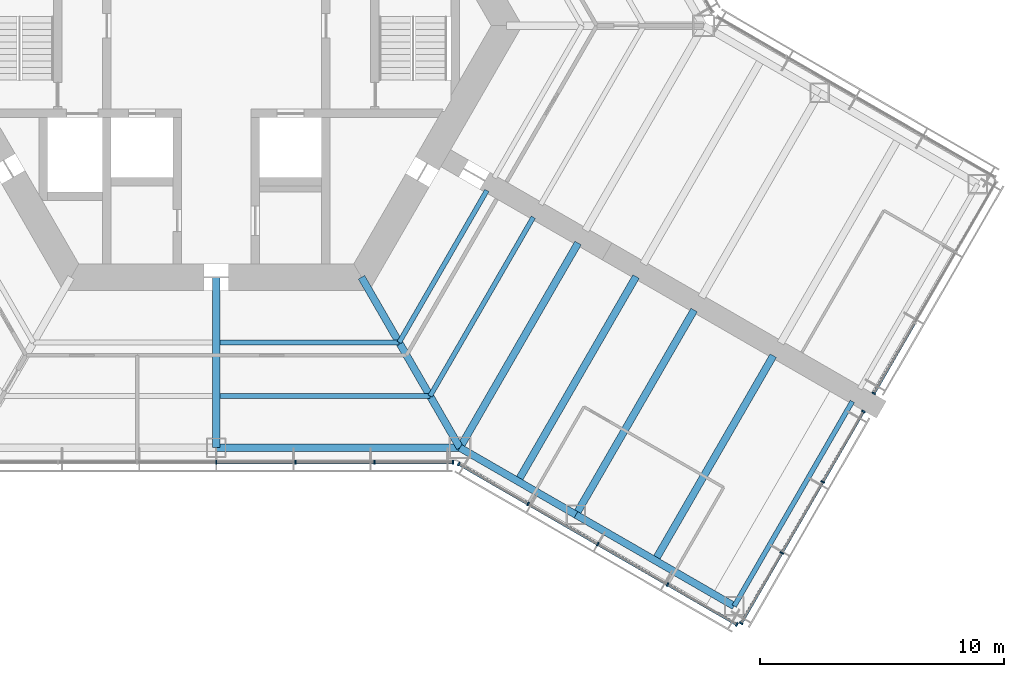
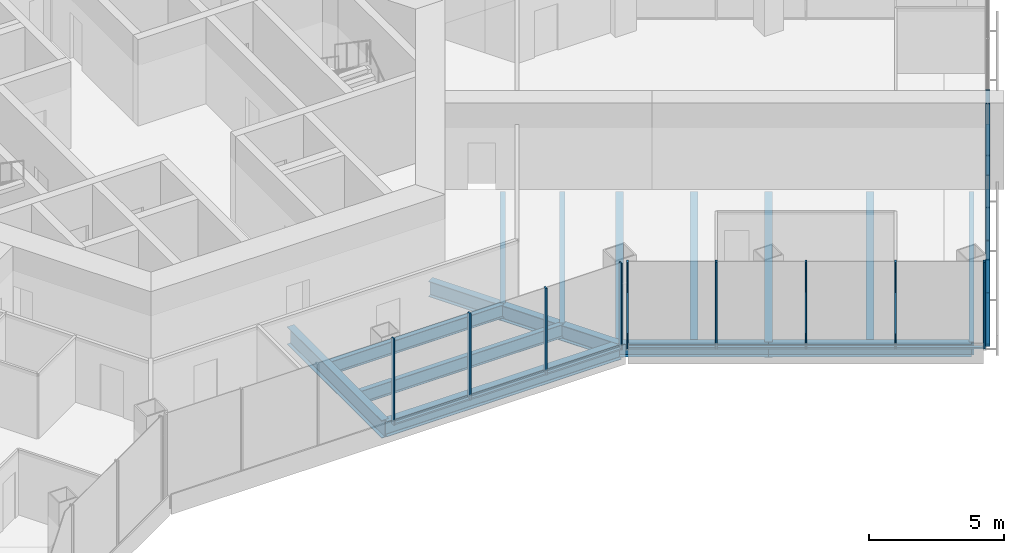
# One storey, part 5 of 18: 25 members, 14 beams, 4 elements without a shape of their own.
"""IFC4 building model written with IfcOpenShell, lengths in metres."""

from ifc_helpers import new_model, si_unit, direction, frame, origin, origin_2d, place, context, subcontext, project, spatial, rectangle, i_section, extrude, material, material_profile, profile_set, type_object, element, aggregate, save


model = new_model("IFC4")

# Units and contexts
model_context = context("Model", 3, precision=1e-05, world=origin(), true_north=direction((0.0, 1.0)))
body_context = subcontext(model_context, "Body", "Model", "MODEL_VIEW")
ifc_project = project(units=[si_unit("LENGTHUNIT", "METRE"), si_unit("AREAUNIT", "SQUARE_METRE"), si_unit("VOLUMEUNIT", "CUBIC_METRE"), si_unit("PLANEANGLEUNIT", "RADIAN"), si_unit("MASSUNIT", "GRAM", prefix="KILO")], contexts=[model_context])

# Site, building, storey
site_placement = place(None, origin())
site = spatial("IfcSite", under=ifc_project, at=site_placement, CompositionType="ELEMENT")
building_placement = place(site_placement, origin())
building = spatial("IfcBuilding", under=site, at=building_placement, Name="Kasaneha Research Tower", CompositionType="ELEMENT")
storey_placement = place(building_placement, frame((0.0, 0.0, 76.800048828125)))
storey = spatial("IfcBuildingStorey", under=building, at=storey_placement, Name="L19", CompositionType="ELEMENT", Elevation=76.800048828125)

# Beams
ifc_material_1 = material(Name="Steel SN490B", Category="steel")
ifc_material_profile_1 = material_profile(ifc_material_1, i_section(OverallWidth=0.199951171875, OverallDepth=0.60009765625, WebThickness=0.010986328125, FlangeThickness=0.01708984375, FilletRadius=0.012939453125, at=origin_2d()), Name="H-600x200x11x17")
ifc_profile_set_1 = profile_set([ifc_material_profile_1], Name="Steel SN490B")
beam_type_1 = type_object("IfcBeamType", Name="B1-3 secondary beam H-600x200x11x17", PredefinedType="JOIST", material=ifc_profile_set_1)
beam_1_placement = place(storey_placement, frame((7.505615234375, -13.0, -0.449951171875), z_axis=(-1.0, 0.0, 0.0), x_axis=(0.0, -1.0, 0.0)))
element("IfcBeam", 1, at=beam_1_placement, inside=storey, type_object=beam_type_1, Name="Secondary beam RS270R1 L19", PredefinedType="JOIST", context=body_context, shape_type="SweptSolid", body=[
    extrude(i_section(OverallWidth=0.199951171875, OverallDepth=0.60009765625, WebThickness=0.010986328125, FlangeThickness=0.01708984375, FilletRadius=0.012939453125, at=origin_2d()), origin(), (0.0, 0.0, 1.0), 7.355712890625),
])
beam_2_placement = place(storey_placement, frame((8.775634765625, -15.199951171875, -0.449951171875), z_axis=(-1.0, 0.0, 0.0), x_axis=(0.0, -1.0, 0.0)))
element("IfcBeam", 2, at=beam_2_placement, inside=storey, type_object=beam_type_1, Name="Secondary beam RS270R2 L19", PredefinedType="JOIST", context=body_context, shape_type="SweptSolid", body=[
    extrude(i_section(OverallWidth=0.199951171875, OverallDepth=0.60009765625, WebThickness=0.010986328125, FlangeThickness=0.01708984375, FilletRadius=0.012939453125, at=origin_2d()), origin(), (0.0, 0.0, 1.0), 8.625732421875),
])
beam_3_placement = place(storey_placement, frame((7.505615234375, -13.0, -0.449951171875), z_axis=(0.499998147991, 0.86602647304, 0.0), x_axis=(-0.86602647304, 0.499998147991, 0.0)))
element("IfcBeam", 3, at=beam_3_placement, inside=storey, type_object=beam_type_1, Name="Secondary beam RS330L1 L19", PredefinedType="JOIST", context=body_context, shape_type="SweptSolid", body=[
    extrude(i_section(OverallWidth=0.199951171875, OverallDepth=0.60009765625, WebThickness=0.010986328125, FlangeThickness=0.01708984375, FilletRadius=0.012939453125, at=origin_2d()), origin(), (0.0, 0.0, 1.0), 7.20556640625),
])
beam_4_placement = place(storey_placement, frame((8.775634765625, -15.199951171875, -0.449951171875), z_axis=(0.500020829043, 0.866013377797, 0.0), x_axis=(-0.866013377797, 0.500020829043, 0.0)))
element("IfcBeam", 4, at=beam_4_placement, inside=storey, type_object=beam_type_1, Name="Secondary beam RS330L2 L19", PredefinedType="JOIST", context=body_context, shape_type="SweptSolid", body=[
    extrude(i_section(OverallWidth=0.199951171875, OverallDepth=0.60009765625, WebThickness=0.010986328125, FlangeThickness=0.01708984375, FilletRadius=0.012939453125, at=origin_2d()), origin(), (0.0, 0.0, 1.0), 8.475830078125),
])
ifc_material_2 = material(Name="Steel SN490B", Category="steel")
ifc_material_profile_2 = material_profile(ifc_material_2, i_section(OverallWidth=0.300048828125, OverallDepth=0.58203125, WebThickness=0.011962890625, FlangeThickness=0.01708984375, FilletRadius=0.012939453125, at=origin_2d()), Name="H-582x300x12x17")
ifc_profile_set_2 = profile_set([ifc_material_profile_2], Name="Steel SN490B")
beam_type_2 = type_object("IfcBeamType", Name="B2-3 secondary beam H-582x300x12x17", PredefinedType="JOIST", material=ifc_profile_set_2)
for number, where, z_axis, x_axis, name in (
    (5, (12.381591796875, -18.695556640625, -0.441162109375), (0.500010041276, 0.866019606374, 0.0), (-0.866019606374, 0.500010041276, 0.0), "Secondary beam WBCP1 L19"),
    (6, (18.0107421875, -21.945556640625, -0.441162109375), (0.500010041276, 0.866019606374, 0.0), (-0.866019606374, 0.500010041276, 0.0), "Secondary beam WBCP2 L19"),
):
    element("IfcBeam", number, at=place(storey_placement, frame(where, z_axis=z_axis, x_axis=x_axis)), inside=storey, type_object=beam_type_2, Name=name, PredefinedType="JOIST", context=body_context, shape_type="SweptSolid", body=[
        extrude(i_section(OverallWidth=0.300048828125, OverallDepth=0.58203125, WebThickness=0.011962890625, FlangeThickness=0.01708984375, FilletRadius=0.012939453125, at=origin_2d()), origin(), (0.0, 0.0, 1.0), 9.699951171875),
    ])

# Curtain wall, members
ifc_material_3 = material(Name="Glass and aluminium", Category="aluminium")
curtain_wall_type = type_object("IfcCurtainWallType", Name="Low-rise office curtain wall", PredefinedType="USERDEFINED", material=ifc_material_3)
curtain_wall_1_placement = place(storey_placement, origin())
curtain_wall_1 = element("IfcCurtainWall", 7, at=curtain_wall_1_placement, inside=storey, type_object=curtain_wall_type, Name="CW-O1 L19 run 02a", ObjectType="UNITISED CURTAIN WALL", PredefinedType="USERDEFINED")
ifc_material_4 = material(Name="Aluminium 6063-T6", Category="aluminium")
ifc_material_profile_3 = material_profile(ifc_material_4, rectangle(XDim=0.06005859375, YDim=0.159912109375, at=origin_2d()), Name="CW-O1 mullion 60x160")
ifc_profile_set_3 = profile_set([ifc_material_profile_3], Name="Aluminium 6063-T6")
member_type_1 = type_object("IfcMemberType", Name="CW-O1 mullion", PredefinedType="MULLION", material=ifc_profile_set_3)
member_1_placement = place(storey_placement, frame((0.0, -17.92041015625, 0.0), z_axis=(0.0, 0.0, 1.0), x_axis=(1.0, 0.0, 0.0)))
member_1 = element("IfcMember", 8, at=member_1_placement, type_object=member_type_1, Name="CW-O1 mullion 4", PredefinedType="MULLION", context=body_context, shape_type="SweptSolid", body=[
    extrude(rectangle(XDim=0.06005859375, YDim=0.159912109375, at=origin_2d()), origin(), (0.0, 0.0, 1.0), 3.89990234375),
])
member_2_placement = place(storey_placement, frame((3.246337890625, -17.92041015625, 0.0), z_axis=(0.0, 0.0, 1.0), x_axis=(1.0, 0.0, 0.0)))
member_2 = element("IfcMember", 9, at=member_2_placement, type_object=member_type_1, Name="CW-O1 mullion 5", PredefinedType="MULLION", context=body_context, shape_type="SweptSolid", body=[
    extrude(rectangle(XDim=0.06005859375, YDim=0.159912109375, at=origin_2d()), origin(), (0.0, 0.0, 1.0), 3.89990234375),
])
member_3_placement = place(storey_placement, frame((6.492919921875, -17.92041015625, 0.0), z_axis=(0.0, 0.0, 1.0), x_axis=(1.0, 0.0, 0.0)))
member_3 = element("IfcMember", 10, at=member_3_placement, type_object=member_type_1, Name="CW-O1 mullion 6", PredefinedType="MULLION", context=body_context, shape_type="SweptSolid", body=[
    extrude(rectangle(XDim=0.06005859375, YDim=0.159912109375, at=origin_2d()), origin(), (0.0, 0.0, 1.0), 3.89990234375),
])
member_4_placement = place(storey_placement, frame((9.709228515625, -17.92041015625, 0.0), z_axis=(0.0, 0.0, 1.0), x_axis=(1.0, 0.0, 0.0)))
member_4 = element("IfcMember", 11, at=member_4_placement, type_object=member_type_1, Name="CW-O1 mullion 7", PredefinedType="MULLION", context=body_context, shape_type="SweptSolid", body=[
    extrude(rectangle(XDim=0.06005859375, YDim=0.159912109375, at=origin_2d()), origin(), (0.0, 0.0, 1.0), 3.89990234375),
])

curtain_wall_2_placement = place(storey_placement, origin())
curtain_wall_2 = element("IfcCurtainWall", 12, at=curtain_wall_2_placement, inside=storey, type_object=curtain_wall_type, Name="CW-O1 L19 run 03a", ObjectType="UNITISED CURTAIN WALL", PredefinedType="USERDEFINED")
member_5_placement = place(storey_placement, frame((9.951904296875, -17.985595703125, 0.0), z_axis=(0.0, 0.0, 1.0), x_axis=(0.866025411464, -0.499999986699, 0.0)))
member_5 = element("IfcMember", 13, at=member_5_placement, type_object=member_type_1, Name="CW-O1 mullion 1", PredefinedType="MULLION", context=body_context, shape_type="SweptSolid", body=[
    extrude(rectangle(XDim=0.06005859375, YDim=0.159912109375, at=origin_2d()), origin(), (0.0, 0.0, 1.0), 3.89990234375),
])
member_6_placement = place(storey_placement, frame((12.792236328125, -19.62548828125, 0.0), z_axis=(0.0, 0.0, 1.0), x_axis=(0.866025411464, -0.499999986699, 0.0)))
member_6 = element("IfcMember", 14, at=member_6_placement, type_object=member_type_1, Name="CW-O1 mullion 2", PredefinedType="MULLION", context=body_context, shape_type="SweptSolid", body=[
    extrude(rectangle(XDim=0.06005859375, YDim=0.159912109375, at=origin_2d()), origin(), (0.0, 0.0, 1.0), 3.89990234375),
])
member_7_placement = place(storey_placement, frame((15.65869140625, -21.2802734375, 0.0), z_axis=(0.0, 0.0, 1.0), x_axis=(0.866025411464, -0.499999986699, 0.0)))
member_7 = element("IfcMember", 15, at=member_7_placement, type_object=member_type_1, Name="CW-O1 mullion 3", PredefinedType="MULLION", context=body_context, shape_type="SweptSolid", body=[
    extrude(rectangle(XDim=0.06005859375, YDim=0.159912109375, at=origin_2d()), origin(), (0.0, 0.0, 1.0), 3.89990234375),
])
member_8_placement = place(storey_placement, frame((18.52490234375, -22.935302734375, 0.0), z_axis=(0.0, 0.0, 1.0), x_axis=(0.866025411464, -0.499999986699, 0.0)))
member_8 = element("IfcMember", 16, at=member_8_placement, type_object=member_type_1, Name="CW-O1 mullion 4", PredefinedType="MULLION", context=body_context, shape_type="SweptSolid", body=[
    extrude(rectangle(XDim=0.06005859375, YDim=0.159912109375, at=origin_2d()), origin(), (0.0, 0.0, 1.0), 3.89990234375),
])
member_9_placement = place(storey_placement, frame((21.365478515625, -24.5751953125, 0.0), z_axis=(0.0, 0.0, 1.0), x_axis=(0.866025411464, -0.499999986699, 0.0)))
member_9 = element("IfcMember", 17, at=member_9_placement, type_object=member_type_1, Name="CW-O1 mullion 5", PredefinedType="MULLION", context=body_context, shape_type="SweptSolid", body=[
    extrude(rectangle(XDim=0.06005859375, YDim=0.159912109375, at=origin_2d()), origin(), (0.0, 0.0, 1.0), 3.89990234375),
])

curtain_wall_3_placement = place(storey_placement, origin())
curtain_wall_3 = element("IfcCurtainWall", 18, at=curtain_wall_3_placement, inside=storey, type_object=curtain_wall_type, Name="CW-O1 L19 run 04a", ObjectType="UNITISED CURTAIN WALL", PredefinedType="USERDEFINED")
member_10_placement = place(storey_placement, frame((21.54296875, -24.527587890625, 0.0), z_axis=(0.0, 0.0, 1.0), x_axis=(0.500000011442, 0.866025397178, 0.0)))
member_10 = element("IfcMember", 19, at=member_10_placement, type_object=member_type_1, Name="CW-O1 mullion 1", PredefinedType="MULLION", context=body_context, shape_type="SweptSolid", body=[
    extrude(rectangle(XDim=0.06005859375, YDim=0.159912109375, at=origin_2d()), origin(), (0.0, 0.0, 1.0), 3.89990234375),
])
member_11_placement = place(storey_placement, frame((23.211181640625, -21.637939453125, 0.0), z_axis=(0.0, 0.0, 1.0), x_axis=(0.500000011442, 0.866025397178, 0.0)))
member_11 = element("IfcMember", 20, at=member_11_placement, type_object=member_type_1, Name="CW-O1 mullion 2", PredefinedType="MULLION", context=body_context, shape_type="SweptSolid", body=[
    extrude(rectangle(XDim=0.06005859375, YDim=0.159912109375, at=origin_2d()), origin(), (0.0, 0.0, 1.0), 3.89990234375),
])
member_12_placement = place(storey_placement, frame((24.89453125, -18.72216796875, 0.0), z_axis=(0.0, 0.0, 1.0), x_axis=(0.500000011442, 0.866025397178, 0.0)))
member_12 = element("IfcMember", 21, at=member_12_placement, type_object=member_type_1, Name="CW-O1 mullion 3", PredefinedType="MULLION", context=body_context, shape_type="SweptSolid", body=[
    extrude(rectangle(XDim=0.06005859375, YDim=0.159912109375, at=origin_2d()), origin(), (0.0, 0.0, 1.0), 3.89990234375),
])
member_13_placement = place(storey_placement, frame((26.56298828125, -15.832763671875, 0.0), z_axis=(0.0, 0.0, 1.0), x_axis=(0.500000011442, 0.866025397178, 0.0)))
member_13 = element("IfcMember", 22, at=member_13_placement, type_object=member_type_1, Name="CW-O1 mullion 4", PredefinedType="MULLION", context=body_context, shape_type="SweptSolid", body=[
    extrude(rectangle(XDim=0.06005859375, YDim=0.159912109375, at=origin_2d()), origin(), (0.0, 0.0, 1.0), 3.89990234375),
])

# Curtain wall, member
curtain_wall_4_placement = place(storey_placement, origin())
curtain_wall_4 = element("IfcCurtainWall", 23, at=curtain_wall_4_placement, inside=storey, type_object=curtain_wall_type, Name="CW-O1 L19 run 05a", ObjectType="UNITISED CURTAIN WALL", PredefinedType="USERDEFINED")
member_14_placement = place(storey_placement, frame((26.992919921875, -15.087890625, 0.0), z_axis=(0.0, 0.0, 1.0), x_axis=(0.500000011442, 0.866025397178, 0.0)))
member_14 = element("IfcMember", 24, at=member_14_placement, type_object=member_type_1, Name="CW-O1 mullion 1", PredefinedType="MULLION", context=body_context, shape_type="SweptSolid", body=[
    extrude(rectangle(XDim=0.06005859375, YDim=0.159912109375, at=origin_2d()), origin(), (0.0, 0.0, 1.0), 3.89990234375),
])

# Member
ifc_material_5 = material(Name="Aluminium 6063-T6", Category="aluminium")
ifc_material_profile_4 = material_profile(ifc_material_5, rectangle(XDim=0.1201171875, YDim=0.06005859375, at=origin_2d()), Name="CW-O1 transom 120x60")
ifc_profile_set_4 = profile_set([ifc_material_profile_4], Name="Aluminium 6063-T6")
member_type_2 = type_object("IfcMemberType", Name="CW-O1 transom", PredefinedType="USERDEFINED", material=ifc_profile_set_4)
member_15_placement = place(storey_placement, frame((0.030029296875, -17.92041015625, 0.030029296875), z_axis=(1.0, 0.0, 0.0), x_axis=(0.0, 1.0, 0.0)))
member_15 = element("IfcMember", 25, at=member_15_placement, type_object=member_type_2, Name="CW-O1 transom 4", ObjectType="TRANSOM", PredefinedType="USERDEFINED", context=body_context, shape_type="SweptSolid", body=[
    extrude(rectangle(XDim=0.1201171875, YDim=0.06005859375, at=origin_2d()), origin(), (0.0, 0.0, 1.0), 3.186279296875),
])

member_16_placement = place(storey_placement, frame((3.2763671875, -17.92041015625, 0.030029296875), z_axis=(1.0, 0.0, 0.0), x_axis=(0.0, 1.0, 0.0)))
member_16 = element("IfcMember", 26, at=member_16_placement, type_object=member_type_2, Name="CW-O1 transom 5", ObjectType="TRANSOM", PredefinedType="USERDEFINED", context=body_context, shape_type="SweptSolid", body=[
    extrude(rectangle(XDim=0.1201171875, YDim=0.06005859375, at=origin_2d()), origin(), (0.0, 0.0, 1.0), 3.1865234375),
])

member_17_placement = place(storey_placement, frame((6.522705078125, -17.92041015625, 0.030029296875), z_axis=(1.0, 0.0, 0.0), x_axis=(0.0, 1.0, 0.0)))
member_17 = element("IfcMember", 27, at=member_17_placement, type_object=member_type_2, Name="CW-O1 transom 6", ObjectType="TRANSOM", PredefinedType="USERDEFINED", context=body_context, shape_type="SweptSolid", body=[
    extrude(rectangle(XDim=0.1201171875, YDim=0.06005859375, at=origin_2d()), origin(), (0.0, 0.0, 1.0), 3.156494140625),
])

aggregate(curtain_wall_1, [member_1, member_2, member_3, member_4, member_15, member_16, member_17])

member_18_placement = place(storey_placement, frame((9.977783203125, -18.00048828125, 0.030029296875), z_axis=(0.866022692473, -0.500004696101, 0.0), x_axis=(0.500004696101, 0.866022692473, 0.0)))
member_18 = element("IfcMember", 28, at=member_18_placement, type_object=member_type_2, Name="CW-O1 transom 1", ObjectType="TRANSOM", PredefinedType="USERDEFINED", context=body_context, shape_type="SweptSolid", body=[
    extrude(rectangle(XDim=0.1201171875, YDim=0.06005859375, at=origin_2d()), origin(), (0.0, 0.0, 1.0), 3.2197265625),
])

member_19_placement = place(storey_placement, frame((12.818115234375, -19.640380859375, 0.030029296875), z_axis=(0.866015446554, -0.500017246033, 0.0), x_axis=(0.500017246033, 0.866015446554, 0.0)))
member_19 = element("IfcMember", 29, at=member_19_placement, type_object=member_type_2, Name="CW-O1 transom 2", ObjectType="TRANSOM", PredefinedType="USERDEFINED", context=body_context, shape_type="SweptSolid", body=[
    extrude(rectangle(XDim=0.1201171875, YDim=0.06005859375, at=origin_2d()), origin(), (0.0, 0.0, 1.0), 3.25),
])

member_20_placement = place(storey_placement, frame((15.6845703125, -21.29541015625, 0.030029296875), z_axis=(0.86604797581, -0.499960902066, 0.0), x_axis=(0.499960902066, 0.86604797581, 0.0)))
member_20 = element("IfcMember", 30, at=member_20_placement, type_object=member_type_2, Name="CW-O1 transom 3", ObjectType="TRANSOM", PredefinedType="USERDEFINED", context=body_context, shape_type="SweptSolid", body=[
    extrude(rectangle(XDim=0.1201171875, YDim=0.06005859375, at=origin_2d()), origin(), (0.0, 0.0, 1.0), 3.249755859375),
])

member_21_placement = place(storey_placement, frame((18.551025390625, -22.9501953125, 0.030029296875), z_axis=(0.866022692473, -0.500004696101, 0.0), x_axis=(0.500004696101, 0.866022692473, 0.0)))
member_21 = element("IfcMember", 31, at=member_21_placement, type_object=member_type_2, Name="CW-O1 transom 4", ObjectType="TRANSOM", PredefinedType="USERDEFINED", context=body_context, shape_type="SweptSolid", body=[
    extrude(rectangle(XDim=0.1201171875, YDim=0.06005859375, at=origin_2d()), origin(), (0.0, 0.0, 1.0), 3.2197265625),
])

aggregate(curtain_wall_2, [member_5, member_6, member_7, member_8, member_9, member_18, member_19, member_20, member_21])

member_22_placement = place(storey_placement, frame((21.557861328125, -24.50146484375, 0.030029296875), z_axis=(0.500025583411, 0.866010632691, 0.0), x_axis=(-0.866010632691, 0.500025583411, 0.0)))
member_22 = element("IfcMember", 32, at=member_22_placement, type_object=member_type_2, Name="CW-O1 transom 1", ObjectType="TRANSOM", PredefinedType="USERDEFINED", context=body_context, shape_type="SweptSolid", body=[
    extrude(rectangle(XDim=0.1201171875, YDim=0.06005859375, at=origin_2d()), origin(), (0.0, 0.0, 1.0), 3.276611328125),
])

member_23_placement = place(storey_placement, frame((23.226318359375, -21.61181640625, 0.030029296875), z_axis=(0.500014325468, 0.866017132814, 0.0), x_axis=(-0.866017132814, 0.500014325468, 0.0)))
member_23 = element("IfcMember", 33, at=member_23_placement, type_object=member_type_2, Name="CW-O1 transom 2", ObjectType="TRANSOM", PredefinedType="USERDEFINED", context=body_context, shape_type="SweptSolid", body=[
    extrude(rectangle(XDim=0.1201171875, YDim=0.06005859375, at=origin_2d()), origin(), (0.0, 0.0, 1.0), 3.306640625),
])

member_24_placement = place(storey_placement, frame((24.90966796875, -18.6962890625, 0.030029296875), z_axis=(0.499969700927, 0.866042896256, 0.0), x_axis=(-0.866042896256, 0.499969700927, 0.0)))
member_24 = element("IfcMember", 34, at=member_24_placement, type_object=member_type_2, Name="CW-O1 transom 3", ObjectType="TRANSOM", PredefinedType="USERDEFINED", context=body_context, shape_type="SweptSolid", body=[
    extrude(rectangle(XDim=0.1201171875, YDim=0.06005859375, at=origin_2d()), origin(), (0.0, 0.0, 1.0), 3.276611328125),
])

aggregate(curtain_wall_3, [member_10, member_11, member_12, member_13, member_22, member_23, member_24])

member_25_placement = place(storey_placement, frame((27.008056640625, -15.061767578125, 0.030029296875), z_axis=(0.499969700927, 0.866042896256, 0.0), x_axis=(-0.866042896256, 0.499969700927, 0.0)))
member_25 = element("IfcMember", 35, at=member_25_placement, type_object=member_type_2, Name="CW-O1 transom 1", ObjectType="TRANSOM", PredefinedType="USERDEFINED", context=body_context, shape_type="SweptSolid", body=[
    extrude(rectangle(XDim=0.1201171875, YDim=0.06005859375, at=origin_2d()), origin(), (0.0, 0.0, 1.0), 3.276611328125),
])

aggregate(curtain_wall_4, [member_14, member_25])

# Beams
ifc_material_6 = material(Name="Steel SN490B", Category="steel")
ifc_material_profile_5 = material_profile(ifc_material_6, i_section(OverallWidth=0.300048828125, OverallDepth=0.699951171875, WebThickness=0.012939453125, FlangeThickness=0.02392578125, FilletRadius=0.01806640625, at=origin_2d()), Name="H-700x300x13x24")
ifc_profile_set_5 = profile_set([ifc_material_profile_5], Name="Steel SN490B")
beam_type_3 = type_object("IfcBeamType", Name="G1-3 radial girder H-700x300x13x24", PredefinedType="BEAM", material=ifc_profile_set_5)
beam_5_placement = place(storey_placement, frame((5.961181640625, -10.324951171875, -0.5), z_axis=(0.49999105496, -0.866030568144, 0.0), x_axis=(0.866030568144, 0.49999105496, 0.0)))
element("IfcBeam", 36, at=beam_5_placement, inside=storey, type_object=beam_type_3, Name="Radial girder RV300 L19", PredefinedType="BEAM", context=body_context, shape_type="SweptSolid", body=[
    extrude(i_section(OverallWidth=0.300048828125, OverallDepth=0.699951171875, WebThickness=0.012939453125, FlangeThickness=0.02392578125, FilletRadius=0.01806640625, at=origin_2d()), origin(), (0.0, 0.0, 1.0), 8.077880859375),
])
ifc_material_7 = material(Name="Steel SN490B", Category="steel")
ifc_material_profile_6 = material_profile(ifc_material_7, i_section(OverallWidth=0.300048828125, OverallDepth=0.800048828125, WebThickness=0.013916015625, FlangeThickness=0.02587890625, FilletRadius=0.01806640625, at=origin_2d()), Name="H-800x300x14x26")
ifc_profile_set_6 = profile_set([ifc_material_profile_6], Name="Steel SN490B")
beam_type_4 = type_object("IfcBeamType", Name="G2-3 radial girder H-800x300x14x26", PredefinedType="BEAM", material=ifc_profile_set_6)
beam_6_placement = place(storey_placement, frame((0.0, -10.324951171875, -0.550048828125), z_axis=(0.0, -1.0, 0.0), x_axis=(1.0, 0.0, 0.0)))
element("IfcBeam", 37, at=beam_6_placement, inside=storey, type_object=beam_type_4, Name="Radial girder RM270 L19", PredefinedType="BEAM", context=body_context, shape_type="SweptSolid", body=[
    extrude(i_section(OverallWidth=0.300048828125, OverallDepth=0.800048828125, WebThickness=0.013916015625, FlangeThickness=0.02587890625, FilletRadius=0.01806640625, at=origin_2d()), origin(), (0.0, 0.0, 1.0), 6.99560546875),
])
ifc_material_8 = material(Name="Steel SN490B", Category="steel")
ifc_material_profile_7 = material_profile(ifc_material_8, i_section(OverallWidth=0.300048828125, OverallDepth=0.69189453125, WebThickness=0.012939453125, FlangeThickness=0.02001953125, FilletRadius=0.01806640625, at=origin_2d()), Name="H-692x300x13x20")
ifc_profile_set_7 = profile_set([ifc_material_profile_7], Name="Steel SN490B")
beam_type_5 = type_object("IfcBeamType", Name="G3-3 plate edge girder H-692x300x13x20", PredefinedType="BEAM", material=ifc_profile_set_7)
beam_7_placement = place(storey_placement, frame((10.0, -17.320556640625, -0.49609375), z_axis=(0.500010041276, 0.866019606374, 0.0), x_axis=(-0.866019606374, 0.500010041276, 0.0)))
element("IfcBeam", 38, at=beam_7_placement, inside=storey, type_object=beam_type_5, Name="Plate edge girder PECP L19", PredefinedType="BEAM", context=body_context, shape_type="SweptSolid", body=[
    extrude(i_section(OverallWidth=0.300048828125, OverallDepth=0.69189453125, WebThickness=0.012939453125, FlangeThickness=0.02001953125, FilletRadius=0.01806640625, at=origin_2d()), origin(), (0.0, 0.0, 1.0), 9.699951171875),
])
ifc_material_9 = material(Name="Steel SN490B", Category="steel")
ifc_material_profile_8 = material_profile(ifc_material_9, i_section(OverallWidth=0.300048828125, OverallDepth=0.699951171875, WebThickness=0.012939453125, FlangeThickness=0.02392578125, FilletRadius=0.01806640625, at=origin_2d()), Name="H-700x300x13x24")
ifc_profile_set_8 = profile_set([ifc_material_profile_8], Name="Steel SN490B")
beam_type_6 = type_object("IfcBeamType", Name="G4-3 wing girder H-700x300x13x24", PredefinedType="BEAM", material=ifc_profile_set_8)
beam_8_placement = place(storey_placement, frame((14.76318359375, -20.070556640625, -0.5), z_axis=(0.499991164321, 0.866030505006, 0.0), x_axis=(-0.866030505006, 0.499991164321, 0.0)))
element("IfcBeam", 39, at=beam_8_placement, inside=storey, type_object=beam_type_6, Name="Wing girder WGCP L19", PredefinedType="BEAM", context=body_context, shape_type="SweptSolid", body=[
    extrude(i_section(OverallWidth=0.300048828125, OverallDepth=0.699951171875, WebThickness=0.012939453125, FlangeThickness=0.02392578125, FilletRadius=0.01806640625, at=origin_2d()), origin(), (0.0, 0.0, 1.0), 9.699951171875),
])
ifc_material_10 = material(Name="Steel SN490B", Category="steel")
ifc_material_profile_9 = material_profile(ifc_material_10, i_section(OverallWidth=0.300048828125, OverallDepth=0.69189453125, WebThickness=0.012939453125, FlangeThickness=0.02001953125, FilletRadius=0.01806640625, at=origin_2d()), Name="H-692x300x13x20")
ifc_profile_set_9 = profile_set([ifc_material_profile_9], Name="Steel SN490B")
beam_type_7 = type_object("IfcBeamType", Name="SB1-3 spandrel beam H-692x300x13x20", PredefinedType="SPANDREL", material=ifc_profile_set_9)
beam_9_placement = place(storey_placement, frame((10.0, -17.320556640625, -0.49609375), z_axis=(-1.0, 0.0, 0.0), x_axis=(0.0, -1.0, 0.0)))
element("IfcBeam", 40, at=beam_9_placement, inside=storey, type_object=beam_type_7, Name="Spandrel beam SR270R L19", PredefinedType="SPANDREL", context=body_context, shape_type="SweptSolid", body=[
    extrude(i_section(OverallWidth=0.300048828125, OverallDepth=0.69189453125, WebThickness=0.012939453125, FlangeThickness=0.02001953125, FilletRadius=0.01806640625, at=origin_2d()), origin(), (0.0, 0.0, 1.0), 10.0),
])
ifc_material_11 = material(Name="Steel SN490B", Category="steel")
ifc_material_profile_10 = material_profile(ifc_material_11, i_section(OverallWidth=0.300048828125, OverallDepth=0.58203125, WebThickness=0.011962890625, FlangeThickness=0.01708984375, FilletRadius=0.012939453125, at=origin_2d()), Name="H-582x300x12x17")
ifc_profile_set_10 = profile_set([ifc_material_profile_10], Name="Steel SN490B")
beam_type_8 = type_object("IfcBeamType", Name="SB2-3 spandrel beam H-582x300x12x17", PredefinedType="SPANDREL", material=ifc_profile_set_10)
beam_10_placement = place(storey_placement, frame((10.0, -17.320556640625, -0.441162109375), z_axis=(0.866027397988, -0.499996545922, 0.0), x_axis=(0.499996545922, 0.866027397988, 0.0)))
element("IfcBeam", 41, at=beam_10_placement, inside=storey, type_object=beam_type_8, Name="Spandrel beam WSCP1 L19", PredefinedType="SPANDREL", context=body_context, shape_type="SweptSolid", body=[
    extrude(i_section(OverallWidth=0.300048828125, OverallDepth=0.58203125, WebThickness=0.011962890625, FlangeThickness=0.01708984375, FilletRadius=0.012939453125, at=origin_2d()), origin(), (0.0, 0.0, 1.0), 5.5),
])
beam_11_placement = place(storey_placement, frame((14.76318359375, -20.070556640625, -0.441162109375), z_axis=(0.866022959057, -0.500004234368, 0.0), x_axis=(0.500004234368, 0.866022959057, 0.0)))
element("IfcBeam", 42, at=beam_11_placement, inside=storey, type_object=beam_type_8, Name="Spandrel beam WSCP2 L19", PredefinedType="SPANDREL", context=body_context, shape_type="SweptSolid", body=[
    extrude(i_section(OverallWidth=0.300048828125, OverallDepth=0.58203125, WebThickness=0.011962890625, FlangeThickness=0.01708984375, FilletRadius=0.012939453125, at=origin_2d()), origin(), (0.0, 0.0, 1.0), 7.5),
])
ifc_material_12 = material(Name="Steel SN490B", Category="steel")
ifc_material_profile_11 = material_profile(ifc_material_12, i_section(OverallWidth=0.199951171875, OverallDepth=0.60009765625, WebThickness=0.010986328125, FlangeThickness=0.01708984375, FilletRadius=0.012939453125, at=origin_2d()), Name="H-600x200x11x17")
ifc_profile_set_11 = profile_set([ifc_material_profile_11], Name="Steel SN490B")
beam_type_9 = type_object("IfcBeamType", Name="SB3-3 spandrel beam H-600x200x11x17", PredefinedType="SPANDREL", material=ifc_profile_set_11)
beam_12_placement = place(storey_placement, frame((21.25830078125, -23.820556640625, -0.449951171875), z_axis=(0.500010041276, 0.866019606374, 0.0), x_axis=(-0.866019606374, 0.500010041276, 0.0)))
element("IfcBeam", 43, at=beam_12_placement, inside=storey, type_object=beam_type_9, Name="Spandrel beam WTCP L19", PredefinedType="SPANDREL", context=body_context, shape_type="SweptSolid", body=[
    extrude(i_section(OverallWidth=0.199951171875, OverallDepth=0.60009765625, WebThickness=0.010986328125, FlangeThickness=0.01708984375, FilletRadius=0.012939453125, at=origin_2d()), origin(), (0.0, 0.0, 1.0), 9.699951171875),
])

save(model, "model.ifc")
